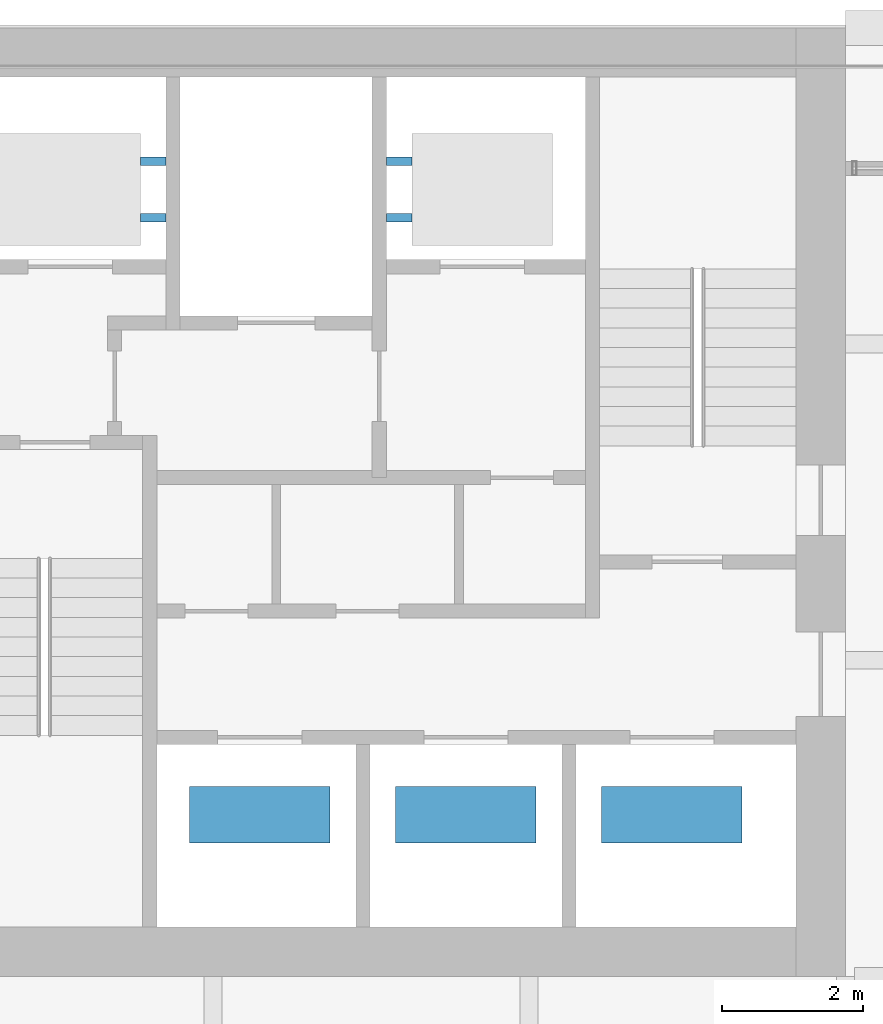
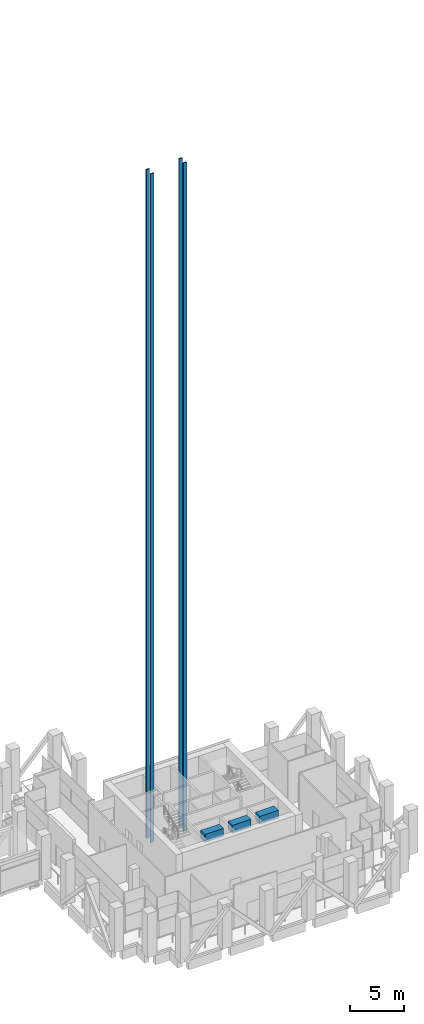
# One storey, part 44 of 48: 7 discrete accessories.
"""IFC4 building model written with IfcOpenShell, lengths in metres."""

from ifc_helpers import new_model, si_unit, direction, frame, origin, origin_2d, place, context, subcontext, project, spatial, rectangle, extrude, element, save


model = new_model("IFC4")

# Units and contexts
model_context = context("Model", 3, precision=1e-05, world=origin(), true_north=direction((0.0, 1.0)))
body_context = subcontext(model_context, "Body", "Model", "MODEL_VIEW")
ifc_project = project(units=[si_unit("LENGTHUNIT", "METRE"), si_unit("AREAUNIT", "SQUARE_METRE"), si_unit("VOLUMEUNIT", "CUBIC_METRE"), si_unit("PLANEANGLEUNIT", "RADIAN"), si_unit("MASSUNIT", "GRAM", prefix="KILO")], contexts=[model_context])

# Site, building, storey
site_placement = place(None, origin())
site = spatial("IfcSite", under=ifc_project, at=site_placement, CompositionType="ELEMENT")
building_placement = place(site_placement, origin())
building = spatial("IfcBuilding", under=site, at=building_placement, Name="Altepetl Exchange Towers", CompositionType="ELEMENT")
storey_placement = place(building_placement, frame((0.0, 0.0, 138.800048828125)))
storey = spatial("IfcBuildingStorey", under=building, at=storey_placement, Name="L34 Refuge and sky lobby", CompositionType="ELEMENT", Elevation=138.800048828125)

# Discrete accessories
for number, where, name in (
    (1, (108.666748046875, 38.300048828125, 3.550048828125), "Lift machine P1"),
    (2, (111.60009765625, 38.300048828125, 3.550048828125), "Lift machine P2"),
    (3, (114.533203125, 38.300048828125, 3.550048828125), "Lift machine P3"),
):
    element("IfcDiscreteAccessory", number, at=place(storey_placement, frame(where)), inside=storey, Name=name, ObjectType="LIFT MACHINE", PredefinedType="USERDEFINED", context=body_context, shape_type="SweptSolid", body=[
        extrude(rectangle(XDim=2.0, YDim=0.800048828125, at=origin_2d()), origin(), (0.0, 0.0, 1.0), 0.89990234375),
    ])
for number, where, name in (
    (4, (107.14990234375, 46.800048828125, -1.60009765625), "Guide rail P4"),
    (5, (107.14990234375, 47.60009765625, -1.60009765625), "Guide rail P4"),
    (6, (110.64990234375, 46.800048828125, -1.60009765625), "Guide rail P5"),
    (7, (110.64990234375, 47.60009765625, -1.60009765625), "Guide rail P5"),
):
    element("IfcDiscreteAccessory", number, at=place(storey_placement, frame(where)), inside=storey, Name=name, ObjectType="GUIDE RAIL", PredefinedType="USERDEFINED", context=body_context, shape_type="SweptSolid", body=[
        extrude(rectangle(XDim=0.36669921875, YDim=0.1201171875, at=origin_2d()), origin(), (0.0, 0.0, 1.0), 75.699951171875),
    ])

save(model, "model.ifc")
